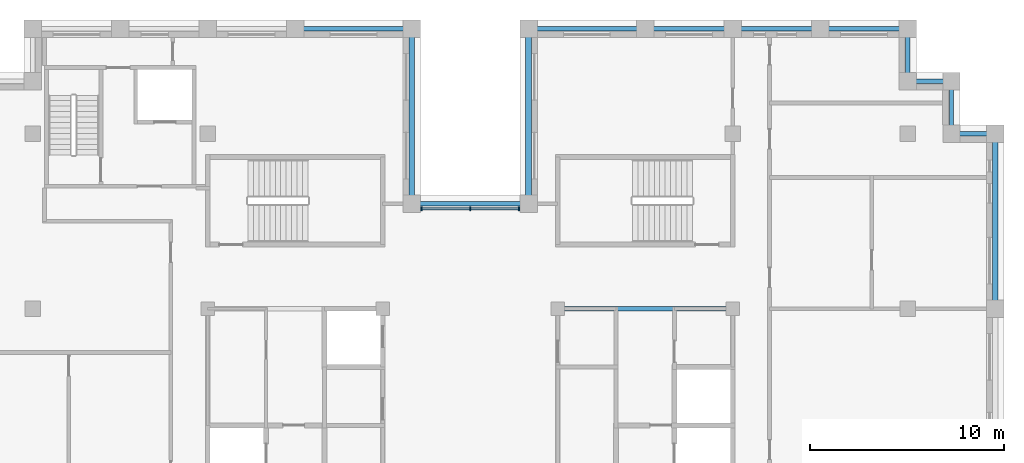
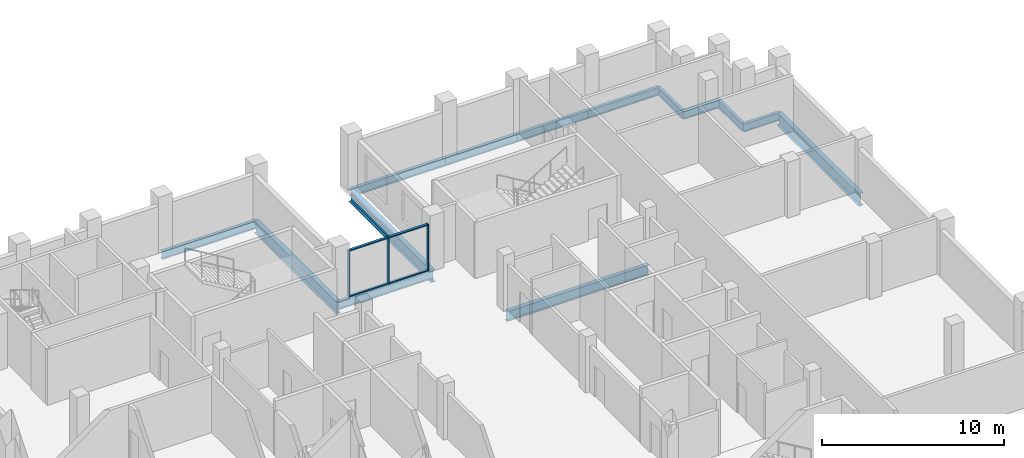
# One storey, part 4 of 13: 14 beams, 7 members, 1 element without a shape of its own.
"""IFC4 building model written with IfcOpenShell, lengths in metres."""

from ifc_helpers import new_model, si_unit, direction, frame, origin, origin_2d, place, context, subcontext, project, spatial, rectangle, i_section, extrude, material, layer, layer_set, material_profile, profile_set, type_object, element, aggregate, save


model = new_model("IFC4")

# Units and contexts
model_context = context("Model", 3, precision=1e-05, world=origin(), true_north=direction((0.0, 1.0)))
body_context = subcontext(model_context, "Body", "Model", "MODEL_VIEW")
ifc_project = project(units=[si_unit("LENGTHUNIT", "METRE"), si_unit("AREAUNIT", "SQUARE_METRE"), si_unit("VOLUMEUNIT", "CUBIC_METRE"), si_unit("PLANEANGLEUNIT", "RADIAN"), si_unit("MASSUNIT", "GRAM", prefix="KILO")], contexts=[model_context])

# Site, building, storey
site_placement = place(None, origin())
site = spatial("IfcSite", under=ifc_project, at=site_placement, CompositionType="ELEMENT")
building_placement = place(site_placement, origin())
building = spatial("IfcBuilding", under=site, at=building_placement, Name="Corbelhall Arena Tower", CompositionType="ELEMENT")
storey_placement = place(building_placement, frame((0.0, 0.0, 308.0)))
storey = spatial("IfcBuildingStorey", under=building, at=storey_placement, Name="L67", CompositionType="ELEMENT", Elevation=308.0)

# Curtain wall, members
ifc_material_1 = material(Name="Aluminium black anodised", Category="aluminium")
ifc_layer = layer(ifc_material_1, 0.199951171875)
ifc_layer_set = layer_set([ifc_layer], Name="EV-CW1 Slot back wall")
curtain_wall_type = type_object("IfcCurtainWallType", Name="EV-CW1 Slot back wall", PredefinedType="NOTDEFINED", material=ifc_layer_set)
curtain_wall_placement = place(storey_placement, origin())
curtain_wall = element("IfcCurtainWall", 1, at=curtain_wall_placement, inside=storey, type_object=curtain_wall_type, Name="Curtain wall CW1", PredefinedType="NOTDEFINED")
ifc_material_profile_1 = material_profile(ifc_material_1, rectangle(XDim=0.199951171875, YDim=0.074951171875, at=origin_2d()))
ifc_profile_set_1 = profile_set([ifc_material_profile_1], Name="Aluminium black anodised")
member_type_1 = type_object("IfcMemberType", Name="EV-CW1-MULLION", PredefinedType="MULLION", material=ifc_profile_set_1)
member_1_placement = place(storey_placement, frame((2.512451171875, 14.14990234375, 0.0), z_axis=(0.0, 0.0, 1.0), x_axis=(0.0, -1.0, 0.0)))
member_1 = element("IfcMember", 2, at=member_1_placement, type_object=member_type_1, Name="CW1 mullion 1", PredefinedType="MULLION", context=body_context, shape_type="SweptSolid", body=[
    extrude(rectangle(XDim=0.199951171875, YDim=0.074951171875, at=origin_2d()), origin(), (0.0, 0.0, 1.0), 3.139892578125),
])
member_2_placement = place(storey_placement, frame((0.0, 14.14990234375, 0.0), z_axis=(0.0, 0.0, 1.0), x_axis=(0.0, -1.0, 0.0)))
member_2 = element("IfcMember", 3, at=member_2_placement, type_object=member_type_1, Name="CW1 mullion 2", PredefinedType="MULLION", context=body_context, shape_type="SweptSolid", body=[
    extrude(rectangle(XDim=0.199951171875, YDim=0.074951171875, at=origin_2d()), origin(), (0.0, 0.0, 1.0), 3.139892578125),
])
member_3_placement = place(storey_placement, frame((-2.512451171875, 14.14990234375, 0.0), z_axis=(0.0, 0.0, 1.0), x_axis=(0.0, -1.0, 0.0)))
member_3 = element("IfcMember", 4, at=member_3_placement, type_object=member_type_1, Name="CW1 mullion 3", PredefinedType="MULLION", context=body_context, shape_type="SweptSolid", body=[
    extrude(rectangle(XDim=0.199951171875, YDim=0.074951171875, at=origin_2d()), origin(), (0.0, 0.0, 1.0), 3.139892578125),
])
ifc_material_profile_2 = material_profile(ifc_material_1, rectangle(XDim=0.14990234375, YDim=0.074951171875, at=origin_2d()))
ifc_profile_set_2 = profile_set([ifc_material_profile_2], Name="Aluminium black anodised")
member_type_2 = type_object("IfcMemberType", Name="EV-CW1-TRANSOM", PredefinedType="USERDEFINED", material=ifc_profile_set_2)
member_4_placement = place(storey_placement, frame((2.47509765625, 14.14990234375, 0.03759765625), z_axis=(-1.0, 0.0, 0.0), x_axis=(0.0, -1.0, 0.0)))
member_4 = element("IfcMember", 5, at=member_4_placement, type_object=member_type_2, Name="CW1 transom 1.1", ObjectType="transom", PredefinedType="USERDEFINED", context=body_context, shape_type="SweptSolid", body=[
    extrude(rectangle(XDim=0.14990234375, YDim=0.074951171875, at=origin_2d()), origin(), (0.0, 0.0, 1.0), 2.4375),
])
member_5_placement = place(storey_placement, frame((2.47509765625, 14.14990234375, 3.1025390625), z_axis=(-1.0, 0.0, 0.0), x_axis=(0.0, -1.0, 0.0)))
member_5 = element("IfcMember", 6, at=member_5_placement, type_object=member_type_2, Name="CW1 transom 1.2", ObjectType="transom", PredefinedType="USERDEFINED", context=body_context, shape_type="SweptSolid", body=[
    extrude(rectangle(XDim=0.14990234375, YDim=0.074951171875, at=origin_2d()), origin(), (0.0, 0.0, 1.0), 2.4375),
])
member_6_placement = place(storey_placement, frame((-0.03759765625, 14.14990234375, 0.03759765625), z_axis=(-1.0, 0.0, 0.0), x_axis=(0.0, -1.0, 0.0)))
member_6 = element("IfcMember", 7, at=member_6_placement, type_object=member_type_2, Name="CW1 transom 2.1", ObjectType="transom", PredefinedType="USERDEFINED", context=body_context, shape_type="SweptSolid", body=[
    extrude(rectangle(XDim=0.14990234375, YDim=0.074951171875, at=origin_2d()), origin(), (0.0, 0.0, 1.0), 2.4375),
])
member_7_placement = place(storey_placement, frame((-0.03759765625, 14.14990234375, 3.1025390625), z_axis=(-1.0, 0.0, 0.0), x_axis=(0.0, -1.0, 0.0)))
member_7 = element("IfcMember", 8, at=member_7_placement, type_object=member_type_2, Name="CW1 transom 2.2", ObjectType="transom", PredefinedType="USERDEFINED", context=body_context, shape_type="SweptSolid", body=[
    extrude(rectangle(XDim=0.14990234375, YDim=0.074951171875, at=origin_2d()), origin(), (0.0, 0.0, 1.0), 2.4375),
])
aggregate(curtain_wall, [member_1, member_2, member_3, member_4, member_5, member_6, member_7])

# Beams
ifc_material_2 = material(Name="Steel ASTM A992 Gr50", Category="steel")
ifc_material_profile_3 = material_profile(ifc_material_2, i_section(OverallWidth=0.25390625, OverallDepth=0.67822265625, WebThickness=0.01171875, FlangeThickness=0.016357421875, at=origin_2d()))
ifc_profile_set_3 = profile_set([ifc_material_profile_3], Name="Steel ASTM A992 Gr50")
beam_type_1 = type_object("IfcBeamType", Name="ST-BEAM-W27x84", PredefinedType="BEAM", material=ifc_profile_set_3)
beam_1_placement = place(storey_placement, frame((4.5, 9.0, -0.59912109375), z_axis=(1.0, 0.0, 0.0), x_axis=(0.0, 1.0, 0.0)))
element("IfcBeam", 9, at=beam_1_placement, inside=storey, type_object=beam_type_1, Name="Beam CEE 12", PredefinedType="BEAM", context=body_context, shape_type="SweptSolid", body=[
    extrude(i_section(OverallWidth=0.25390625, OverallDepth=0.67822265625, WebThickness=0.01171875, FlangeThickness=0.016357421875, at=origin_2d()), origin(), (0.0, 0.0, 1.0), 9.0),
])
ifc_material_profile_4 = material_profile(ifc_material_2, i_section(OverallWidth=0.209228515625, OverallDepth=0.533447265625, WebThickness=0.01025390625, FlangeThickness=0.015625, at=origin_2d()))
ifc_profile_set_4 = profile_set([ifc_material_profile_4], Name="Steel ASTM A992 Gr50")
beam_type_2 = type_object("IfcBeamType", Name="ST-SPANDREL-W21x62", PredefinedType="SPANDREL", material=ifc_profile_set_4)
beam_2_placement = place(storey_placement, frame((3.0, 23.39990234375, -0.526611328125), z_axis=(1.0, 0.0, 0.0), x_axis=(0.0, 1.0, 0.0)))
element("IfcBeam", 10, at=beam_2_placement, inside=storey, type_object=beam_type_2, Name="Beam SP 6", PredefinedType="SPANDREL", context=body_context, shape_type="SweptSolid", body=[
    extrude(i_section(OverallWidth=0.209228515625, OverallDepth=0.533447265625, WebThickness=0.01025390625, FlangeThickness=0.015625, at=origin_2d()), origin(), (0.0, 0.0, 1.0), 6.0),
])
for number, where, z_axis, x_axis, name in (
    (11, (9.0, 23.39990234375, -0.526611328125), (1.0, 0.0, 0.0), (0.0, 1.0, 0.0), "Beam SP 7"),
    (12, (13.5, 23.39990234375, -0.526611328125), (1.0, 0.0, 0.0), (0.0, 1.0, 0.0), "Beam SP 8"),
    (13, (18.0, 23.39990234375, -0.526611328125), (1.0, 0.0, 0.0), (0.0, 1.0, 0.0), "Beam SP 9"),
):
    element("IfcBeam", number, at=place(storey_placement, frame(where, z_axis=z_axis, x_axis=x_axis)), inside=storey, type_object=beam_type_2, Name=name, PredefinedType="SPANDREL", context=body_context, shape_type="SweptSolid", body=[
        extrude(i_section(OverallWidth=0.209228515625, OverallDepth=0.533447265625, WebThickness=0.01025390625, FlangeThickness=0.015625, at=origin_2d()), origin(), (0.0, 0.0, 1.0), 4.5),
    ])
beam_3_placement = place(storey_placement, frame((22.5, 23.39990234375, -0.526611328125), z_axis=(0.0, -1.0, 0.0), x_axis=(1.0, 0.0, 0.0)))
element("IfcBeam", 14, at=beam_3_placement, inside=storey, type_object=beam_type_2, Name="Beam SP 10", PredefinedType="SPANDREL", context=body_context, shape_type="SweptSolid", body=[
    extrude(i_section(OverallWidth=0.209228515625, OverallDepth=0.533447265625, WebThickness=0.01025390625, FlangeThickness=0.015625, at=origin_2d()), origin(), (0.0, 0.0, 1.0), 2.699951171875),
])
for number, where, z_axis, x_axis, name in (
    (15, (-9.0, 23.39990234375, -0.526611328125), (1.0, 0.0, 0.0), (0.0, 1.0, 0.0), "Beam SP 12"),
    (16, (-3.0, 14.39990234375, -0.526611328125), (1.0, 0.0, 0.0), (0.0, 1.0, 0.0), "Beam SP 32"),
):
    element("IfcBeam", number, at=place(storey_placement, frame(where, z_axis=z_axis, x_axis=x_axis)), inside=storey, type_object=beam_type_2, Name=name, PredefinedType="SPANDREL", context=body_context, shape_type="SweptSolid", body=[
        extrude(i_section(OverallWidth=0.209228515625, OverallDepth=0.533447265625, WebThickness=0.01025390625, FlangeThickness=0.015625, at=origin_2d()), origin(), (0.0, 0.0, 1.0), 6.0),
    ])
beam_4_placement = place(storey_placement, frame((22.5, 20.699951171875, -0.526611328125), z_axis=(1.0, 0.0, 0.0), x_axis=(0.0, 1.0, 0.0)))
element("IfcBeam", 17, at=beam_4_placement, inside=storey, type_object=beam_type_2, Name="Beam SP 35", PredefinedType="SPANDREL", context=body_context, shape_type="SweptSolid", body=[
    extrude(i_section(OverallWidth=0.209228515625, OverallDepth=0.533447265625, WebThickness=0.01025390625, FlangeThickness=0.015625, at=origin_2d()), origin(), (0.0, 0.0, 1.0), 2.25),
])
beam_5_placement = place(storey_placement, frame((24.75, 20.699951171875, -0.526611328125), z_axis=(0.0, -1.0, 0.0), x_axis=(1.0, 0.0, 0.0)))
element("IfcBeam", 18, at=beam_5_placement, inside=storey, type_object=beam_type_2, Name="Beam SP 36", PredefinedType="SPANDREL", context=body_context, shape_type="SweptSolid", body=[
    extrude(i_section(OverallWidth=0.209228515625, OverallDepth=0.533447265625, WebThickness=0.01025390625, FlangeThickness=0.015625, at=origin_2d()), origin(), (0.0, 0.0, 1.0), 2.699951171875),
])
beam_6_placement = place(storey_placement, frame((24.75, 18.0, -0.526611328125), z_axis=(1.0, 0.0, 0.0), x_axis=(0.0, 1.0, 0.0)))
element("IfcBeam", 19, at=beam_6_placement, inside=storey, type_object=beam_type_2, Name="Beam SP 37", PredefinedType="SPANDREL", context=body_context, shape_type="SweptSolid", body=[
    extrude(i_section(OverallWidth=0.209228515625, OverallDepth=0.533447265625, WebThickness=0.01025390625, FlangeThickness=0.015625, at=origin_2d()), origin(), (0.0, 0.0, 1.0), 2.25),
])
ifc_material_profile_5 = material_profile(ifc_material_2, i_section(OverallWidth=0.2919921875, OverallDepth=0.845703125, WebThickness=0.015380859375, FlangeThickness=0.0244140625, at=origin_2d()))
ifc_profile_set_5 = profile_set([ifc_material_profile_5], Name="Steel ASTM A992 Gr50")
beam_type_3 = type_object("IfcBeamType", Name="ST-SPANDREL-W33x141", PredefinedType="SPANDREL", material=ifc_profile_set_5)
for number, where, z_axis, x_axis, name in (
    (20, (27.0, 18.0, -0.682861328125), (0.0, -1.0, 0.0), (1.0, 0.0, 0.0), "Beam SP 3"),
    (21, (-3.0, 23.39990234375, -0.682861328125), (0.0, -1.0, 0.0), (1.0, 0.0, 0.0), "Beam SP 11"),
    (22, (3.0, 14.39990234375, -0.682861328125), (0.0, 1.0, 0.0), (-1.0, 0.0, 0.0), "Beam SP 31"),
):
    element("IfcBeam", number, at=place(storey_placement, frame(where, z_axis=z_axis, x_axis=x_axis)), inside=storey, type_object=beam_type_3, Name=name, PredefinedType="SPANDREL", context=body_context, shape_type="SweptSolid", body=[
        extrude(i_section(OverallWidth=0.2919921875, OverallDepth=0.845703125, WebThickness=0.015380859375, FlangeThickness=0.0244140625, at=origin_2d()), origin(), (0.0, 0.0, 1.0), 9.0),
    ])

save(model, "model.ifc")
